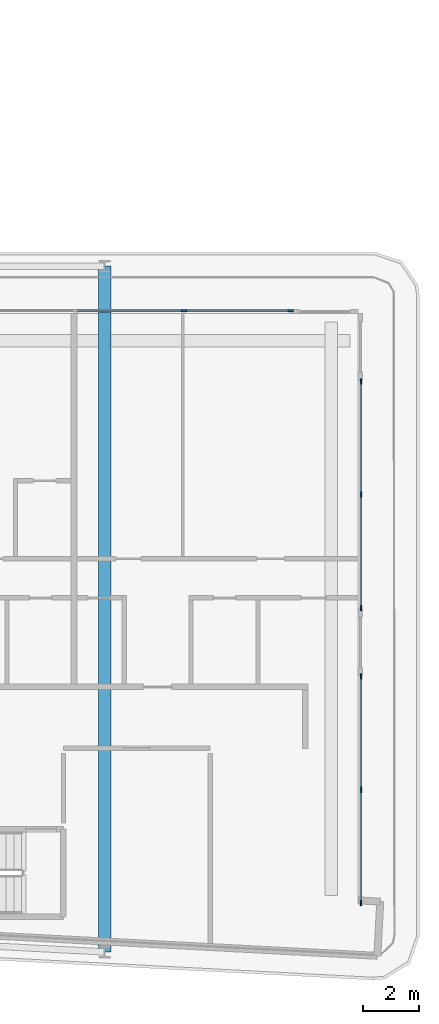
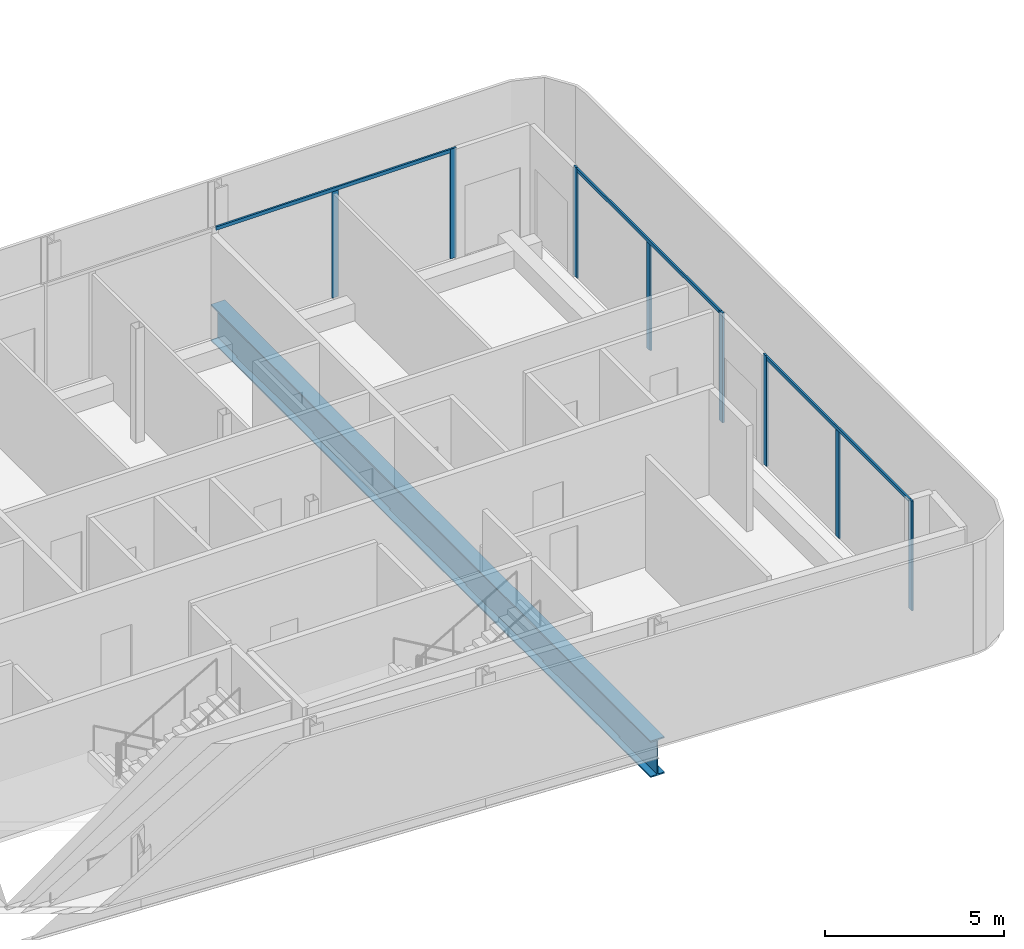
# One storey, part 10 of 29: 11 members, 1 beam, 3 elements without a shape of their own.
"""IFC4 building model written with IfcOpenShell, lengths in metres."""

from ifc_helpers import new_model, si_unit, direction, frame, origin, origin_2d, place, context, subcontext, project, spatial, rectangle, i_section, extrude, material, layer, layer_set, material_profile, profile_set, type_object, element, aggregate, save


model = new_model("IFC4")

# Units and contexts
model_context = context("Model", 3, precision=1e-05, world=origin(), true_north=direction((0.0, 1.0)))
body_context = subcontext(model_context, "Body", "Model", "MODEL_VIEW")
ifc_project = project(units=[si_unit("LENGTHUNIT", "METRE"), si_unit("AREAUNIT", "SQUARE_METRE"), si_unit("VOLUMEUNIT", "CUBIC_METRE"), si_unit("PLANEANGLEUNIT", "RADIAN"), si_unit("MASSUNIT", "GRAM", prefix="KILO")], contexts=[model_context])

# Site, building, storey
site_placement = place(None, origin())
site = spatial("IfcSite", under=ifc_project, at=site_placement, CompositionType="ELEMENT")
building_placement = place(site_placement, origin())
building = spatial("IfcBuilding", under=site, at=building_placement, Name="Kheshtan School and Residences Tower", CompositionType="ELEMENT")
storey_placement = place(building_placement, frame((0.0, 0.0, 179.89990234375)))
storey = spatial("IfcBuildingStorey", under=building, at=storey_placement, Name="L42", CompositionType="ELEMENT", Elevation=179.89990234375)

# Curtain wall, members
ifc_material_1 = material(Name="Clear low-e glass in thermally broken aluminium frame", Category="aluminium")
ifc_layer = layer(ifc_material_1, 0.199951171875)
ifc_layer_set = layer_set([ifc_layer], Name="Curtain wall CW-L")
curtain_wall_type = type_object("IfcCurtainWallType", Name="Curtain wall CW-L", PredefinedType="NOTDEFINED", material=ifc_layer_set)
curtain_wall_1_placement = place(storey_placement, origin())
curtain_wall_1 = element("IfcCurtainWall", 1, at=curtain_wall_1_placement, inside=storey, type_object=curtain_wall_type, Name="Curtain wall CWL12j", PredefinedType="NOTDEFINED")
ifc_material_2 = material(Name="Thermally broken aluminium, dark bronze anodised", Category="aluminium")
ifc_material_profile_1 = material_profile(ifc_material_2, rectangle(XDim=0.06005859375, YDim=0.199951171875, at=origin_2d()), Name="CW-L mullion 60x200")
ifc_profile_set_1 = profile_set([ifc_material_profile_1], Name="Thermally broken aluminium, dark bronze anodised")
member_type_1 = type_object("IfcMemberType", Name="CW-L mullion 60x200", PredefinedType="MULLION", material=ifc_profile_set_1)
member_1_placement = place(storey_placement, frame((93.653076171875, 44.0, 0.0), z_axis=(0.0, 0.0, 1.0), x_axis=(0.0, 1.0, 0.0)))
member_1 = element("IfcMember", 2, at=member_1_placement, type_object=member_type_1, Name="CWL12j mullion 2", PredefinedType="MULLION", context=body_context, shape_type="SweptSolid", body=[
    extrude(rectangle(XDim=0.06005859375, YDim=0.199951171875, at=origin_2d()), origin(), (0.0, 0.0, 1.0), 3.630126953125),
])
member_2_placement = place(storey_placement, frame((97.469970703125, 44.0, 0.0), z_axis=(0.0, 0.0, 1.0), x_axis=(0.0, 1.0, 0.0)))
member_2 = element("IfcMember", 3, at=member_2_placement, type_object=member_type_1, Name="CWL12j mullion 3", PredefinedType="MULLION", context=body_context, shape_type="SweptSolid", body=[
    extrude(rectangle(XDim=0.06005859375, YDim=0.199951171875, at=origin_2d()), origin(), (0.0, 0.0, 1.0), 3.75),
])

curtain_wall_2_placement = place(storey_placement, origin())
curtain_wall_2 = element("IfcCurtainWall", 4, at=curtain_wall_2_placement, inside=storey, type_object=curtain_wall_type, Name="Curtain wall CWL13b", PredefinedType="NOTDEFINED")
member_3_placement = place(storey_placement, frame((100.0, 41.469970703125, 0.0), z_axis=(0.0, 0.0, 1.0), x_axis=(1.0, 0.0, 0.0)))
member_3 = element("IfcMember", 5, at=member_3_placement, type_object=member_type_1, Name="CWL13b mullion 1", PredefinedType="MULLION", context=body_context, shape_type="SweptSolid", body=[
    extrude(rectangle(XDim=0.06005859375, YDim=0.199951171875, at=origin_2d()), origin(), (0.0, 0.0, 1.0), 3.75),
])
member_4_placement = place(storey_placement, frame((100.0, 37.403564453125, 0.0), z_axis=(0.0, 0.0, 1.0), x_axis=(1.0, 0.0, 0.0)))
member_4 = element("IfcMember", 6, at=member_4_placement, type_object=member_type_1, Name="CWL13b mullion 2", PredefinedType="MULLION", context=body_context, shape_type="SweptSolid", body=[
    extrude(rectangle(XDim=0.06005859375, YDim=0.199951171875, at=origin_2d()), origin(), (0.0, 0.0, 1.0), 3.630126953125),
])
member_5_placement = place(storey_placement, frame((100.0, 33.3369140625, 0.0), z_axis=(0.0, 0.0, 1.0), x_axis=(1.0, 0.0, 0.0)))
member_5 = element("IfcMember", 7, at=member_5_placement, type_object=member_type_1, Name="CWL13b mullion 3", PredefinedType="MULLION", context=body_context, shape_type="SweptSolid", body=[
    extrude(rectangle(XDim=0.06005859375, YDim=0.199951171875, at=origin_2d()), origin(), (0.0, 0.0, 1.0), 3.75),
])

curtain_wall_3_placement = place(storey_placement, origin())
curtain_wall_3 = element("IfcCurtainWall", 8, at=curtain_wall_3_placement, inside=storey, type_object=curtain_wall_type, Name="Curtain wall CWL13b", PredefinedType="NOTDEFINED")
member_6_placement = place(storey_placement, frame((100.0, 30.876953125, 0.0), z_axis=(0.0, 0.0, 1.0), x_axis=(1.0, 0.0, 0.0)))
member_6 = element("IfcMember", 9, at=member_6_placement, type_object=member_type_1, Name="CWL13b mullion 1", PredefinedType="MULLION", context=body_context, shape_type="SweptSolid", body=[
    extrude(rectangle(XDim=0.06005859375, YDim=0.199951171875, at=origin_2d()), origin(), (0.0, 0.0, 1.0), 3.75),
])
member_7_placement = place(storey_placement, frame((100.0, 26.810546875, 0.0), z_axis=(0.0, 0.0, 1.0), x_axis=(1.0, 0.0, 0.0)))
member_7 = element("IfcMember", 10, at=member_7_placement, type_object=member_type_1, Name="CWL13b mullion 2", PredefinedType="MULLION", context=body_context, shape_type="SweptSolid", body=[
    extrude(rectangle(XDim=0.06005859375, YDim=0.199951171875, at=origin_2d()), origin(), (0.0, 0.0, 1.0), 3.630126953125),
])
member_8_placement = place(storey_placement, frame((100.0, 22.743896484375, 0.0), z_axis=(0.0, 0.0, 1.0), x_axis=(1.0, 0.0, 0.0)))
member_8 = element("IfcMember", 11, at=member_8_placement, type_object=member_type_1, Name="CWL13b mullion 3", PredefinedType="MULLION", context=body_context, shape_type="SweptSolid", body=[
    extrude(rectangle(XDim=0.06005859375, YDim=0.199951171875, at=origin_2d()), origin(), (0.0, 0.0, 1.0), 3.75),
])

# Member
ifc_material_profile_2 = material_profile(ifc_material_2, rectangle(XDim=0.06005859375, YDim=0.1201171875, at=origin_2d()), Name="CW-L transom 60x120")
ifc_profile_set_2 = profile_set([ifc_material_profile_2], Name="Thermally broken aluminium, dark bronze anodised")
member_type_2 = type_object("IfcMemberType", Name="CW-L transom 60x120", PredefinedType="USERDEFINED", material=ifc_profile_set_2)
member_9_placement = place(storey_placement, frame((89.805908203125, 44.0, 3.690185546875), z_axis=(1.0, 0.0, 0.0), x_axis=(0.0, 1.0, 0.0)))
member_9 = element("IfcMember", 12, at=member_9_placement, type_object=member_type_2, Name="CWL12j transom 1", ObjectType="TRANSOM", PredefinedType="USERDEFINED", context=body_context, shape_type="SweptSolid", body=[
    extrude(rectangle(XDim=0.06005859375, YDim=0.1201171875, at=origin_2d()), origin(), (0.0, 0.0, 1.0), 7.634033203125),
])

aggregate(curtain_wall_1, [member_1, member_2, member_9])

member_10_placement = place(storey_placement, frame((100.0, 41.43994140625, 3.690185546875), z_axis=(0.0, -1.0, 0.0), x_axis=(1.0, 0.0, 0.0)))
member_10 = element("IfcMember", 13, at=member_10_placement, type_object=member_type_2, Name="CWL13b transom 1", ObjectType="TRANSOM", PredefinedType="USERDEFINED", context=body_context, shape_type="SweptSolid", body=[
    extrude(rectangle(XDim=0.06005859375, YDim=0.1201171875, at=origin_2d()), origin(), (0.0, 0.0, 1.0), 8.072998046875),
])

aggregate(curtain_wall_2, [member_3, member_4, member_5, member_10])

member_11_placement = place(storey_placement, frame((100.0, 30.846923828125, 3.690185546875), z_axis=(0.0, -1.0, 0.0), x_axis=(1.0, 0.0, 0.0)))
member_11 = element("IfcMember", 14, at=member_11_placement, type_object=member_type_2, Name="CWL13b transom 1", ObjectType="TRANSOM", PredefinedType="USERDEFINED", context=body_context, shape_type="SweptSolid", body=[
    extrude(rectangle(XDim=0.06005859375, YDim=0.1201171875, at=origin_2d()), origin(), (0.0, 0.0, 1.0), 8.072998046875),
])

aggregate(curtain_wall_3, [member_6, member_7, member_8, member_11])

# Beam
ifc_material_3 = material(Name="Steel ASTM A992 Grade 50", Category="steel")
ifc_material_profile_3 = material_profile(ifc_material_3, i_section(OverallWidth=0.449951171875, OverallDepth=1.25, WebThickness=0.02490234375, FlangeThickness=0.044921875, FilletRadius=0.03759765625, at=origin_2d()), Name="WWF1250x546")
ifc_profile_set_3 = profile_set([ifc_material_profile_3], Name="Steel ASTM A992 Grade 50")
beam_type = type_object("IfcBeamType", Name="Transfer girder TG4 WWF1250x546 ASTM A992 Grade 50", PredefinedType="BEAM", material=ifc_profile_set_3)
beam_placement = place(storey_placement, frame((90.800048828125, 45.60009765625, -0.77490234375), z_axis=(0.0, -1.0, 0.0), x_axis=(1.0, 0.0, 0.0)))
element("IfcBeam", 15, at=beam_placement, inside=storey, type_object=beam_type, Name="Transfer girder C068-C006", PredefinedType="BEAM", context=body_context, shape_type="SweptSolid", body=[
    extrude(i_section(OverallWidth=0.449951171875, OverallDepth=1.25, WebThickness=0.02490234375, FlangeThickness=0.044921875, FilletRadius=0.03759765625, at=origin_2d()), origin(), (0.0, 0.0, 1.0), 24.610107421875),
])

save(model, "model.ifc")
